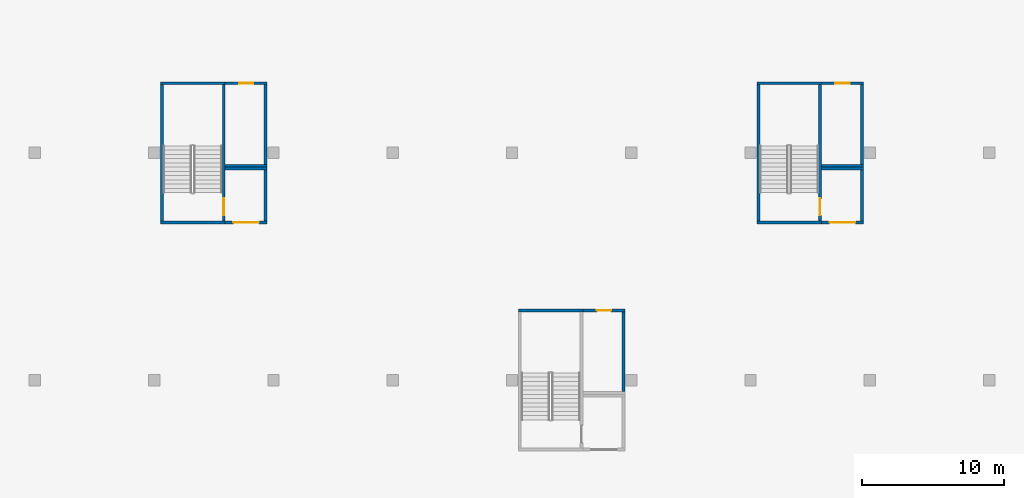
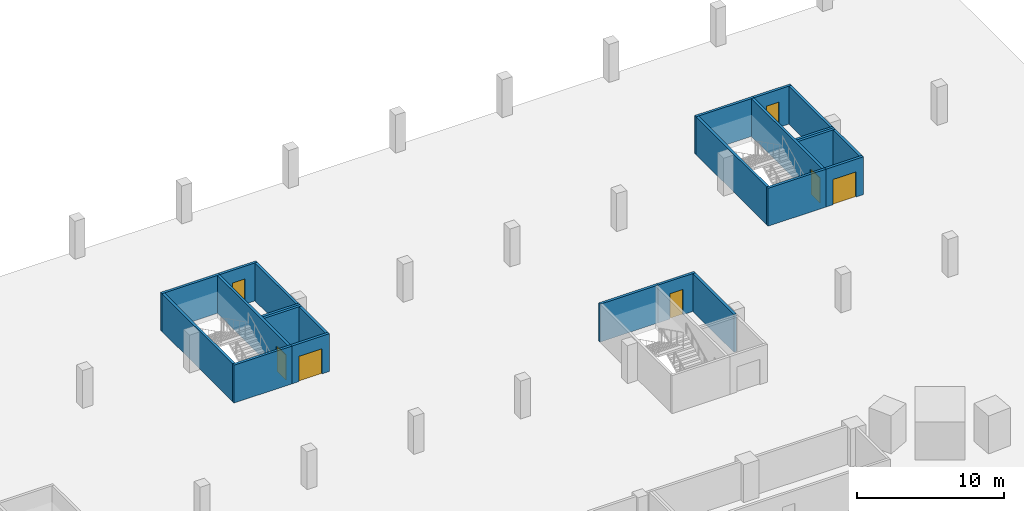
# One storey, part 16 of 37: 23 walls, 7 doors, 7 openings.
"""IFC4 building model written with IfcOpenShell, lengths in metres."""

import ifcopenshell
import ifcopenshell.guid

model = None  # the IFC model being written
_history = None  # IfcOwnerHistory: only IFC2X3 demands one
_inside = {}  # id of a spatial element -> (the spatial element, [elements in it])
_under = {}  # id of a project, library or spatial element -> (it, [spatial elements below it])
_declared = {}  # id of a project -> (the project, [libraries it declares])
_typed = {}  # id of a type object -> (the type object, [elements of that type])
_made_of = {}  # id of a material, layer set ... -> (it, [elements and type objects made of it])


def new_model(schema):
    """Start an empty IFC model of exactly this schema.

    Asked for "IFC4X3", IfcOpenShell would pick the latest addendum, in which some entities
    have other attributes; the version numbers below select the first issue.
    IFC2X3 requires an IfcOwnerHistory on every rooted entity: one is made here for all.
    """
    global model, _history
    if schema == "IFC4X3":
        model = ifcopenshell.file(schema_version=(4, 3, 0, 0))
    else:
        model = ifcopenshell.file(schema=schema)
    _inside.clear()
    _under.clear()
    _declared.clear()
    _typed.clear()
    _made_of.clear()
    _history = None
    if model.schema == "IFC2X3":
        org = make("IfcOrganization", Name="unknown")
        user = make(
            "IfcPersonAndOrganization",
            ThePerson=make("IfcPerson", FamilyName="unknown"),
            TheOrganization=org,
        )
        app = make(
            "IfcApplication",
            ApplicationDeveloper=org,
            Version="unknown",
            ApplicationFullName="unknown",
            ApplicationIdentifier="unknown",
        )
        _history = make(
            "IfcOwnerHistory",
            OwningUser=user,
            OwningApplication=app,
            ChangeAction="ADDED",
            CreationDate=0,
        )
    return model


def make(cls, **values):
    """One entity of the class cls with the attributes given. An attribute that is None is left unset."""
    return model.create_entity(
        cls, **{name: value for name, value in values.items() if value is not None}
    )


def rooted(cls, **values):
    """An entity with a GlobalId (a new one), such as an element, a storey or a relation."""
    return make(cls, GlobalId=ifcopenshell.guid.new(), OwnerHistory=_history, **values)


def si_unit(unit_type, name, prefix=None):
    """IfcSIUnit, for example si_unit("LENGTHUNIT", "METRE", prefix="MILLI")."""
    return make("IfcSIUnit", UnitType=unit_type, Prefix=prefix, Name=name)


def assignment(units):
    """IfcUnitAssignment: the units of a project."""
    return None if units is None else make("IfcUnitAssignment", Units=units)


def point(xyz):
    """IfcCartesianPoint."""
    return None if xyz is None else make("IfcCartesianPoint", Coordinates=xyz)


def direction(xyz):
    """IfcDirection."""
    return None if xyz is None else make("IfcDirection", DirectionRatios=xyz)


def frame(location, z_axis=None, x_axis=None):
    """IfcAxis2Placement3D, a coordinate frame: its origin and axes. An axis left out is left unset."""
    return make(
        "IfcAxis2Placement3D",
        Location=point(location),
        Axis=direction(z_axis),
        RefDirection=direction(x_axis),
    )


def frame_2d(location, x_axis=None):
    """IfcAxis2Placement2D, a coordinate frame in the plane: its origin and x axis."""
    return make(
        "IfcAxis2Placement2D", Location=point(location), RefDirection=direction(x_axis)
    )


def origin():
    """The frame at (0, 0, 0) with its axes left unset."""
    return frame((0.0, 0.0, 0.0))


def place(relative_to, where):
    """IfcLocalPlacement: puts the frame where relative to a parent placement (None: the world)."""
    return make(
        "IfcLocalPlacement", PlacementRelTo=relative_to, RelativePlacement=where
    )


def context(
    kind, dimensions, precision=None, world=None, true_north=None, identifier=None
):
    """IfcGeometricRepresentationContext, for example the 3D "Model" context."""
    return make(
        "IfcGeometricRepresentationContext",
        ContextIdentifier=identifier,
        ContextType=kind,
        CoordinateSpaceDimension=dimensions,
        Precision=precision,
        WorldCoordinateSystem=world,
        TrueNorth=true_north,
    )


def subcontext(parent, identifier, kind, view, scale=None):
    """IfcGeometricRepresentationSubContext, for example "Body" below "Model"."""
    return make(
        "IfcGeometricRepresentationSubContext",
        ContextIdentifier=identifier,
        ContextType=kind,
        ParentContext=parent,
        TargetScale=scale,
        TargetView=view,
    )


def project(units=None, contexts=None):
    """IfcProject with its units and contexts."""
    return rooted(
        "IfcProject",
        Name="project",
        RepresentationContexts=contexts,
        UnitsInContext=assignment(units),
    )


def spatial(cls, under=None, at=None, **own):
    """A site, building, storey or space (cls), placed at a placement, below another one or the project."""
    s = rooted(cls, ObjectPlacement=at, **own)
    if under is not None:
        _under.setdefault(under.id(), (under, []))[1].append(s)
    return s


def profile(cls, at=None, kind="AREA", **sizes):
    """A parametric profile (cls). Its sizes go by their IFC names, for example OverallWidth=200.0."""
    return make(cls, ProfileType=kind, Position=at, **sizes)


def rectangle(**sizes):
    """IfcRectangleProfileDef."""
    return profile("IfcRectangleProfileDef", **sizes)


def extrude(swept, where, along, depth):
    """IfcExtrudedAreaSolid: the profile swept, set in the frame where, extruded along a direction by depth."""
    return make(
        "IfcExtrudedAreaSolid",
        SweptArea=swept,
        Position=where,
        ExtrudedDirection=direction(along),
        Depth=depth,
    )


def shape(context_of_items, identifier, shape_type, items):
    """IfcShapeRepresentation: the items that make up one representation, for example the "Body"."""
    return make(
        "IfcShapeRepresentation",
        ContextOfItems=context_of_items,
        RepresentationIdentifier=identifier,
        RepresentationType=shape_type,
        Items=items,
    )


def material(Name=None, Category=None):
    """IfcMaterial."""
    return make("IfcMaterial", Name=Name, Category=Category)


def layer(
    of_material, thickness, ventilated=None, Name=None, Category=None, Priority=None
):
    """IfcMaterialLayer: one layer of a wall or slab, of a material (None: an air gap)."""
    return make(
        "IfcMaterialLayer",
        Material=of_material,
        LayerThickness=thickness,
        IsVentilated=ventilated,
        Name=Name,
        Category=Category,
        Priority=Priority,
    )


def layer_set(layers, Name=None):
    """IfcMaterialLayerSet."""
    return make("IfcMaterialLayerSet", MaterialLayers=layers, LayerSetName=Name)


def made_of(thing, what):
    """Note that an element or type object is made of a material, layer set ...; save() writes the relation."""
    if what is not None:
        _made_of.setdefault(what.id(), (what, []))[1].append(thing)
    return thing


def type_object(cls, material=None, **own):
    """A type object (cls), such as IfcWallType, which elements share."""
    return made_of(rooted(cls, **own), material)


def element(
    cls,
    number,
    at=None,
    inside=None,
    cuts=None,
    type_object=None,
    material=None,
    context=None,
    identifier="Body",
    shape_type=None,
    held_by="IfcProductDefinitionShape",
    body=None,
    shapes=None,
    **own,
):
    """One element of the class cls, such as IfcWall. Its Tag is "e" and its number.

    at: its placement. inside: the storey or other place that contains it. cuts: it is an
    opening in that element (IfcRelVoidsElement). A single representation is given by context,
    identifier, shape_type and body (its items); several are given by shapes. held_by: the class
    of the entity that holds the representations. save() writes the other relations.
    """
    e = rooted(cls, Tag="e%d" % number, ObjectPlacement=at, **own)
    if body is not None:
        shapes = [shape(context, identifier, shape_type, body)]
    if shapes is not None:
        e.Representation = make(held_by, Representations=shapes)
    if inside is not None:
        _inside.setdefault(inside.id(), (inside, []))[1].append(e)
    if cuts is not None:
        rooted(
            "IfcRelVoidsElement", RelatingBuildingElement=cuts, RelatedOpeningElement=e
        )
    if type_object is not None:
        _typed.setdefault(type_object.id(), (type_object, []))[1].append(e)
    return made_of(e, material)


def fill(opening, filler):
    """IfcRelFillsElement: the door or window that sits in an opening."""
    return rooted(
        "IfcRelFillsElement",
        RelatingOpeningElement=opening,
        RelatedBuildingElement=filler,
    )


def aggregate(whole, parts):
    """IfcRelAggregates: a whole, such as a stair, and the parts it consists of."""
    return rooted("IfcRelAggregates", RelatingObject=whole, RelatedObjects=parts)


def save(model, path):
    """Write the relations noted so far, then the file.

    IfcRelAggregates (storeys below a building ...), IfcRelContainedInSpatialStructure (elements
    in a storey), IfcRelDefinesByType, IfcRelAssociatesMaterial and IfcRelDeclares: one each for
    every whole, place, type object, material and project.
    """
    for whole, parts in _under.values():
        aggregate(whole, parts)
    for where, things in _inside.values():
        rooted(
            "IfcRelContainedInSpatialStructure",
            RelatedElements=things,
            RelatingStructure=where,
        )
    for kind, things in _typed.values():
        rooted("IfcRelDefinesByType", RelatedObjects=things, RelatingType=kind)
    for what, things in _made_of.values():
        rooted("IfcRelAssociatesMaterial", RelatedObjects=things, RelatingMaterial=what)
    for by, libraries in _declared.values():
        rooted("IfcRelDeclares", RelatingContext=by, RelatedDefinitions=libraries)
    model.write(path)


model = new_model("IFC4")

# Units and contexts
model_context = context("Model", 3, precision=1e-05, world=origin(), true_north=direction((0.0, 1.0)))
body_context = subcontext(model_context, "Body", "Model", "MODEL_VIEW")
ifc_project = project(units=[si_unit("LENGTHUNIT", "METRE"), si_unit("AREAUNIT", "SQUARE_METRE"), si_unit("VOLUMEUNIT", "CUBIC_METRE"), si_unit("PLANEANGLEUNIT", "RADIAN"), si_unit("MASSUNIT", "GRAM", prefix="KILO")], contexts=[model_context])

# Site, building, storey
site_placement = place(None, origin())
site = spatial("IfcSite", under=ifc_project, at=site_placement, CompositionType="ELEMENT")
building_placement = place(site_placement, origin())
building = spatial("IfcBuilding", under=site, at=building_placement, Name="Tamra Quay Hotel Tower", CompositionType="ELEMENT")
storey_placement = place(building_placement, frame((0.0, 0.0, -3.60009765625)))
storey = spatial("IfcBuildingStorey", under=building, at=storey_placement, Name="B1", CompositionType="ELEMENT", Elevation=-3.60009765625)

# Wall, opening, door
ifc_material_1 = material(Name="Blockwork", Category="masonry")
ifc_layer_1 = layer(ifc_material_1, 0.199951171875)
ifc_layer_set_1 = layer_set([ifc_layer_1], Name="Car park room wall 200")
wall_type_1 = type_object("IfcWallType", Name="Car park room wall 200", PredefinedType="PARTITIONING", material=ifc_layer_set_1)
wall_1_placement = place(storey_placement, frame((-16.89990234375, 59.10009765625, 0.0), z_axis=(0.0, 0.0, 1.0), x_axis=(1.0, 0.0, 0.0)))
wall_1 = element("IfcWall", 1, at=wall_1_placement, inside=storey, type_object=wall_type_1, Name="PW", PredefinedType="PARTITIONING", context=body_context, shape_type="SweptSolid", body=[
    extrude(rectangle(XDim=2.949951171875, YDim=0.199951171875, at=frame_2d((1.47509765625, 0.0))), origin(), (0.0, 0.0, 1.0), 3.150146484375),
])
opening_1_placement = place(wall_1_placement, frame((0.574951171875, 0.0, 0.0)))
opening_1 = element("IfcOpeningElement", 2, at=opening_1_placement, cuts=wall_1, Name="Opening PD2", PredefinedType="OPENING", context=body_context, shape_type="SweptSolid", body=[
    extrude(rectangle(XDim=1.800048828125, YDim=2.10009765625, at=frame_2d((0.89990234375, 1.050048828125))), frame((0.0, 0.10986328125, 0.0), z_axis=(0.0, -1.0, 0.0), x_axis=(1.0, 0.0, 0.0)), (0.0, 0.0, 1.0), 0.219970703125),
])
ifc_material_2 = material(Name="Plant door 1800 x 2100")
door_type_1 = type_object("IfcDoorType", Name="Plant door 1800 x 2100", OperationType="DOUBLE_DOOR_SINGLE_SWING", PredefinedType="DOOR", material=ifc_material_2)
door_1_placement = place(opening_1_placement, origin())
door_1 = element("IfcDoor", 3, at=door_1_placement, inside=storey, type_object=door_type_1, Name="PD2", OperationType="DOUBLE_DOOR_SINGLE_SWING", OverallHeight=2.10009765625, OverallWidth=1.800048828125, PredefinedType="DOOR", context=body_context, shape_type="SweptSolid", body=[
    extrude(rectangle(XDim=1.800048828125, YDim=2.10009765625, at=frame_2d((0.89990234375, 1.050048828125))), frame((0.0, 0.02490234375, 0.0), z_axis=(0.0, -1.0, 0.0), x_axis=(1.0, 0.0, 0.0)), (0.0, 0.0, 1.0), 0.050048828125),
])
fill(opening_1, door_1)

# Walls
wall_2_placement = place(storey_placement, frame((-16.89990234375, 62.89990234375, 0.0), z_axis=(0.0, 0.0, 1.0), x_axis=(1.0, 0.0, 0.0)))
element("IfcWall", 4, at=wall_2_placement, inside=storey, type_object=wall_type_1, Name="PW", PredefinedType="PARTITIONING", context=body_context, shape_type="SweptSolid", body=[
    extrude(rectangle(XDim=2.949951171875, YDim=0.199951171875, at=frame_2d((1.47509765625, 0.0))), origin(), (0.0, 0.0, 1.0), 3.150146484375),
])
wall_3_placement = place(storey_placement, frame((-14.050048828125, 59.199951171875, 0.0), z_axis=(0.0, 0.0, 1.0), x_axis=(0.0, 1.0, 0.0)))
element("IfcWall", 5, at=wall_3_placement, inside=storey, type_object=wall_type_1, Name="PW", PredefinedType="PARTITIONING", context=body_context, shape_type="SweptSolid", body=[
    extrude(rectangle(XDim=3.60009765625, YDim=0.199951171875, at=frame_2d((1.800048828125, 0.0))), origin(), (0.0, 0.0, 1.0), 3.150146484375),
])
wall_4_placement = place(storey_placement, frame((-16.89990234375, 63.10009765625, 0.0), z_axis=(0.0, 0.0, 1.0), x_axis=(1.0, 0.0, 0.0)))
element("IfcWall", 6, at=wall_4_placement, inside=storey, type_object=wall_type_1, Name="PW", PredefinedType="PARTITIONING", context=body_context, shape_type="SweptSolid", body=[
    extrude(rectangle(XDim=2.949951171875, YDim=0.199951171875, at=frame_2d((1.47509765625, 0.0))), origin(), (0.0, 0.0, 1.0), 3.150146484375),
])

# Wall, opening, door
wall_5_placement = place(storey_placement, frame((-16.89990234375, 68.89990234375, 0.0), z_axis=(0.0, 0.0, 1.0), x_axis=(1.0, 0.0, 0.0)))
wall_5 = element("IfcWall", 7, at=wall_5_placement, inside=storey, type_object=wall_type_1, Name="PW", PredefinedType="PARTITIONING", context=body_context, shape_type="SweptSolid", body=[
    extrude(rectangle(XDim=2.949951171875, YDim=0.199951171875, at=frame_2d((1.47509765625, 0.0))), origin(), (0.0, 0.0, 1.0), 3.150146484375),
])
opening_2_placement = place(wall_5_placement, frame((0.97509765625, 0.0, 0.0)))
opening_2 = element("IfcOpeningElement", 8, at=opening_2_placement, cuts=wall_5, Name="Opening PD1", PredefinedType="OPENING", context=body_context, shape_type="SweptSolid", body=[
    extrude(rectangle(XDim=1.0, YDim=2.10009765625, at=frame_2d((0.5, 1.050048828125))), frame((0.0, 0.10986328125, 0.0), z_axis=(0.0, -1.0, 0.0), x_axis=(1.0, 0.0, 0.0)), (0.0, 0.0, 1.0), 0.219970703125),
])
ifc_material_3 = material(Name="Car park door 1000 x 2100")
door_type_2 = type_object("IfcDoorType", Name="Car park door 1000 x 2100", OperationType="NOTDEFINED", PredefinedType="DOOR", material=ifc_material_3)
door_2_placement = place(opening_2_placement, origin())
door_2 = element("IfcDoor", 9, at=door_2_placement, inside=storey, type_object=door_type_2, Name="PD1", OperationType="SINGLE_SWING_LEFT", OverallHeight=2.10009765625, OverallWidth=1.0, PredefinedType="DOOR", context=body_context, shape_type="SweptSolid", body=[
    extrude(rectangle(XDim=1.0, YDim=2.10009765625, at=frame_2d((0.5, 1.050048828125))), frame((0.0, 0.02490234375, 0.0), z_axis=(0.0, -1.0, 0.0), x_axis=(1.0, 0.0, 0.0)), (0.0, 0.0, 1.0), 0.050048828125),
])
fill(opening_2, door_2)

# Wall
wall_6_placement = place(storey_placement, frame((-14.050048828125, 63.199951171875, 0.0), z_axis=(0.0, 0.0, 1.0), x_axis=(0.0, 1.0, 0.0)))
element("IfcWall", 10, at=wall_6_placement, inside=storey, type_object=wall_type_1, Name="PW", PredefinedType="PARTITIONING", context=body_context, shape_type="SweptSolid", body=[
    extrude(rectangle(XDim=5.60009765625, YDim=0.199951171875, at=frame_2d((2.800048828125, 0.0))), origin(), (0.0, 0.0, 1.0), 3.150146484375),
])

# Wall, opening, door
wall_7_placement = place(storey_placement, frame((8.300048828125, 52.89990234375, 0.0), z_axis=(0.0, 0.0, 1.0), x_axis=(1.0, 0.0, 0.0)))
wall_7 = element("IfcWall", 11, at=wall_7_placement, inside=storey, type_object=wall_type_1, Name="PW", PredefinedType="PARTITIONING", context=body_context, shape_type="SweptSolid", body=[
    extrude(rectangle(XDim=2.949951171875, YDim=0.199951171875, at=frame_2d((1.47509765625, 0.0))), origin(), (0.0, 0.0, 1.0), 3.150146484375),
])
opening_3_placement = place(wall_7_placement, frame((0.97509765625, 0.0, 0.0)))
opening_3 = element("IfcOpeningElement", 12, at=opening_3_placement, cuts=wall_7, Name="Opening PD1", PredefinedType="OPENING", context=body_context, shape_type="SweptSolid", body=[
    extrude(rectangle(XDim=1.0, YDim=2.10009765625, at=frame_2d((0.5, 1.050048828125))), frame((0.0, 0.10986328125, 0.0), z_axis=(0.0, -1.0, 0.0), x_axis=(1.0, 0.0, 0.0)), (0.0, 0.0, 1.0), 0.219970703125),
])
door_3_placement = place(opening_3_placement, origin())
door_3 = element("IfcDoor", 13, at=door_3_placement, inside=storey, type_object=door_type_2, Name="PD1", OperationType="SINGLE_SWING_LEFT", OverallHeight=2.10009765625, OverallWidth=1.0, PredefinedType="DOOR", context=body_context, shape_type="SweptSolid", body=[
    extrude(rectangle(XDim=1.0, YDim=2.10009765625, at=frame_2d((0.5, 1.050048828125))), frame((0.0, 0.02490234375, 0.0), z_axis=(0.0, -1.0, 0.0), x_axis=(1.0, 0.0, 0.0)), (0.0, 0.0, 1.0), 0.050048828125),
])
fill(opening_3, door_3)

# Wall
wall_8_placement = place(storey_placement, frame((11.14990234375, 47.199951171875, 0.0), z_axis=(0.0, 0.0, 1.0), x_axis=(0.0, 1.0, 0.0)))
element("IfcWall", 14, at=wall_8_placement, inside=storey, type_object=wall_type_1, Name="PW", PredefinedType="PARTITIONING", context=body_context, shape_type="SweptSolid", body=[
    extrude(rectangle(XDim=5.60009765625, YDim=0.199951171875, at=frame_2d((2.800048828125, 0.0))), origin(), (0.0, 0.0, 1.0), 3.150146484375),
])

# Wall, opening, door
wall_9_placement = place(storey_placement, frame((25.10009765625, 59.10009765625, 0.0), z_axis=(0.0, 0.0, 1.0), x_axis=(1.0, 0.0, 0.0)))
wall_9 = element("IfcWall", 15, at=wall_9_placement, inside=storey, type_object=wall_type_1, Name="PW", PredefinedType="PARTITIONING", context=body_context, shape_type="SweptSolid", body=[
    extrude(rectangle(XDim=2.949951171875, YDim=0.199951171875, at=frame_2d((1.47509765625, 0.0))), origin(), (0.0, 0.0, 1.0), 3.150146484375),
])
opening_4_placement = place(wall_9_placement, frame((0.574951171875, 0.0, 0.0)))
opening_4 = element("IfcOpeningElement", 16, at=opening_4_placement, cuts=wall_9, Name="Opening PD2", PredefinedType="OPENING", context=body_context, shape_type="SweptSolid", body=[
    extrude(rectangle(XDim=1.800048828125, YDim=2.10009765625, at=frame_2d((0.89990234375, 1.050048828125))), frame((0.0, 0.10986328125, 0.0), z_axis=(0.0, -1.0, 0.0), x_axis=(1.0, 0.0, 0.0)), (0.0, 0.0, 1.0), 0.219970703125),
])
door_4_placement = place(opening_4_placement, origin())
door_4 = element("IfcDoor", 17, at=door_4_placement, inside=storey, type_object=door_type_1, Name="PD2", OperationType="DOUBLE_DOOR_SINGLE_SWING", OverallHeight=2.10009765625, OverallWidth=1.800048828125, PredefinedType="DOOR", context=body_context, shape_type="SweptSolid", body=[
    extrude(rectangle(XDim=1.800048828125, YDim=2.10009765625, at=frame_2d((0.89990234375, 1.050048828125))), frame((0.0, 0.02490234375, 0.0), z_axis=(0.0, -1.0, 0.0), x_axis=(1.0, 0.0, 0.0)), (0.0, 0.0, 1.0), 0.050048828125),
])
fill(opening_4, door_4)

# Walls
wall_10_placement = place(storey_placement, frame((25.10009765625, 62.89990234375, 0.0), z_axis=(0.0, 0.0, 1.0), x_axis=(1.0, 0.0, 0.0)))
element("IfcWall", 18, at=wall_10_placement, inside=storey, type_object=wall_type_1, Name="PW", PredefinedType="PARTITIONING", context=body_context, shape_type="SweptSolid", body=[
    extrude(rectangle(XDim=2.949951171875, YDim=0.199951171875, at=frame_2d((1.47509765625, 0.0))), origin(), (0.0, 0.0, 1.0), 3.150146484375),
])
wall_11_placement = place(storey_placement, frame((27.949951171875, 59.199951171875, 0.0), z_axis=(0.0, 0.0, 1.0), x_axis=(0.0, 1.0, 0.0)))
element("IfcWall", 19, at=wall_11_placement, inside=storey, type_object=wall_type_1, Name="PW", PredefinedType="PARTITIONING", context=body_context, shape_type="SweptSolid", body=[
    extrude(rectangle(XDim=3.60009765625, YDim=0.199951171875, at=frame_2d((1.800048828125, 0.0))), origin(), (0.0, 0.0, 1.0), 3.150146484375),
])
wall_12_placement = place(storey_placement, frame((25.10009765625, 63.10009765625, 0.0), z_axis=(0.0, 0.0, 1.0), x_axis=(1.0, 0.0, 0.0)))
element("IfcWall", 20, at=wall_12_placement, inside=storey, type_object=wall_type_1, Name="PW", PredefinedType="PARTITIONING", context=body_context, shape_type="SweptSolid", body=[
    extrude(rectangle(XDim=2.949951171875, YDim=0.199951171875, at=frame_2d((1.47509765625, 0.0))), origin(), (0.0, 0.0, 1.0), 3.150146484375),
])

# Wall, opening, door
wall_13_placement = place(storey_placement, frame((25.10009765625, 68.89990234375, 0.0), z_axis=(0.0, 0.0, 1.0), x_axis=(1.0, 0.0, 0.0)))
wall_13 = element("IfcWall", 21, at=wall_13_placement, inside=storey, type_object=wall_type_1, Name="PW", PredefinedType="PARTITIONING", context=body_context, shape_type="SweptSolid", body=[
    extrude(rectangle(XDim=2.949951171875, YDim=0.199951171875, at=frame_2d((1.47509765625, 0.0))), origin(), (0.0, 0.0, 1.0), 3.150146484375),
])
opening_5_placement = place(wall_13_placement, frame((0.97509765625, 0.0, 0.0)))
opening_5 = element("IfcOpeningElement", 22, at=opening_5_placement, cuts=wall_13, Name="Opening PD1", PredefinedType="OPENING", context=body_context, shape_type="SweptSolid", body=[
    extrude(rectangle(XDim=1.0, YDim=2.10009765625, at=frame_2d((0.5, 1.050048828125))), frame((0.0, 0.10986328125, 0.0), z_axis=(0.0, -1.0, 0.0), x_axis=(1.0, 0.0, 0.0)), (0.0, 0.0, 1.0), 0.219970703125),
])
door_5_placement = place(opening_5_placement, origin())
door_5 = element("IfcDoor", 23, at=door_5_placement, inside=storey, type_object=door_type_2, Name="PD1", OperationType="SINGLE_SWING_LEFT", OverallHeight=2.10009765625, OverallWidth=1.0, PredefinedType="DOOR", context=body_context, shape_type="SweptSolid", body=[
    extrude(rectangle(XDim=1.0, YDim=2.10009765625, at=frame_2d((0.5, 1.050048828125))), frame((0.0, 0.02490234375, 0.0), z_axis=(0.0, -1.0, 0.0), x_axis=(1.0, 0.0, 0.0)), (0.0, 0.0, 1.0), 0.050048828125),
])
fill(opening_5, door_5)

# Walls
wall_14_placement = place(storey_placement, frame((27.949951171875, 63.199951171875, 0.0), z_axis=(0.0, 0.0, 1.0), x_axis=(0.0, 1.0, 0.0)))
element("IfcWall", 24, at=wall_14_placement, inside=storey, type_object=wall_type_1, Name="PW", PredefinedType="PARTITIONING", context=body_context, shape_type="SweptSolid", body=[
    extrude(rectangle(XDim=5.60009765625, YDim=0.199951171875, at=frame_2d((2.800048828125, 0.0))), origin(), (0.0, 0.0, 1.0), 3.150146484375),
])
ifc_material_4 = material(Name="Concrete M70", Category="concrete")
ifc_layer_2 = layer(ifc_material_4, 0.199951171875)
ifc_layer_set_2 = layer_set([ifc_layer_2], Name="Concrete M70 stair enclosure wall 200")
wall_type_2 = type_object("IfcWallType", Name="Concrete M70 stair enclosure wall 200", PredefinedType="SOLIDWALL", material=ifc_layer_set_2)
wall_15_placement = place(storey_placement, frame((-21.35009765625, 59.199951171875, 0.0), z_axis=(0.0, 0.0, 1.0), x_axis=(0.0, 1.0, 0.0)))
element("IfcWall", 25, at=wall_15_placement, inside=storey, type_object=wall_type_2, Name="SEW", PredefinedType="SOLIDWALL", context=body_context, shape_type="SweptSolid", body=[
    extrude(rectangle(XDim=9.60009765625, YDim=0.199951171875, at=frame_2d((4.800048828125, 0.0))), origin(), (0.0, 0.0, 1.0), 3.150146484375),
])

# Wall, opening, door
wall_16_placement = place(storey_placement, frame((-17.0, 59.199951171875, 0.0), z_axis=(0.0, 0.0, 1.0), x_axis=(0.0, 1.0, 0.0)))
wall_16 = element("IfcWall", 26, at=wall_16_placement, inside=storey, type_object=wall_type_2, Name="SEW", PredefinedType="SOLIDWALL", context=body_context, shape_type="SweptSolid", body=[
    extrude(rectangle(XDim=9.60009765625, YDim=0.199951171875, at=frame_2d((4.800048828125, 0.0))), origin(), (0.0, 0.0, 1.0), 3.150146484375),
])
opening_6_placement = place(wall_16_placement, frame((0.39990234375, 0.0, 0.0)))
opening_6 = element("IfcOpeningElement", 27, at=opening_6_placement, cuts=wall_16, Name="Opening SD1", PredefinedType="OPENING", context=body_context, shape_type="SweptSolid", body=[
    extrude(rectangle(XDim=1.199951171875, YDim=2.10009765625, at=frame_2d((0.60009765625, 1.050048828125))), frame((0.0, 0.10986328125, 0.0), z_axis=(0.0, -1.0, 0.0), x_axis=(1.0, 0.0, 0.0)), (0.0, 0.0, 1.0), 0.219970703125),
])
ifc_material_5 = material(Name="Stair door 1200 x 2100")
door_type_3 = type_object("IfcDoorType", Name="Stair door 1200 x 2100", OperationType="NOTDEFINED", PredefinedType="DOOR", material=ifc_material_5)
door_6_placement = place(opening_6_placement, origin())
door_6 = element("IfcDoor", 28, at=door_6_placement, inside=storey, type_object=door_type_3, Name="SD1", OperationType="SINGLE_SWING_LEFT", OverallHeight=2.10009765625, OverallWidth=1.199951171875, PredefinedType="DOOR", context=body_context, shape_type="SweptSolid", body=[
    extrude(rectangle(XDim=1.199951171875, YDim=2.10009765625, at=frame_2d((0.60009765625, 1.050048828125))), frame((0.0, 0.02490234375, 0.0), z_axis=(0.0, -1.0, 0.0), x_axis=(1.0, 0.0, 0.0)), (0.0, 0.0, 1.0), 0.050048828125),
])
fill(opening_6, door_6)

# Walls
for number, where, z_axis, x_axis, name in (
    (29, (-16.89990234375, 59.10009765625, 0.0), (0.0, 0.0, 1.0), (-1.0, 0.0, 0.0), "SEW"),
    (30, (-21.449951171875, 68.89990234375, 0.0), (0.0, 0.0, 1.0), (1.0, 0.0, 0.0), "SEW"),
    (31, (3.75, 52.89990234375, 0.0), (0.0, 0.0, 1.0), (1.0, 0.0, 0.0), "SEW"),
):
    element("IfcWall", number, at=place(storey_placement, frame(where, z_axis=z_axis, x_axis=x_axis)), inside=storey, type_object=wall_type_2, Name=name, PredefinedType="SOLIDWALL", context=body_context, shape_type="SweptSolid", body=[
        extrude(rectangle(XDim=4.550048828125, YDim=0.199951171875, at=frame_2d((2.27490234375, 0.0))), origin(), (0.0, 0.0, 1.0), 3.150146484375),
    ])
wall_17_placement = place(storey_placement, frame((20.64990234375, 59.199951171875, 0.0), z_axis=(0.0, 0.0, 1.0), x_axis=(0.0, 1.0, 0.0)))
element("IfcWall", 32, at=wall_17_placement, inside=storey, type_object=wall_type_2, Name="SEW", PredefinedType="SOLIDWALL", context=body_context, shape_type="SweptSolid", body=[
    extrude(rectangle(XDim=9.60009765625, YDim=0.199951171875, at=frame_2d((4.800048828125, 0.0))), origin(), (0.0, 0.0, 1.0), 3.150146484375),
])

# Wall, opening, door
wall_18_placement = place(storey_placement, frame((25.0, 59.199951171875, 0.0), z_axis=(0.0, 0.0, 1.0), x_axis=(0.0, 1.0, 0.0)))
wall_18 = element("IfcWall", 33, at=wall_18_placement, inside=storey, type_object=wall_type_2, Name="SEW", PredefinedType="SOLIDWALL", context=body_context, shape_type="SweptSolid", body=[
    extrude(rectangle(XDim=9.60009765625, YDim=0.199951171875, at=frame_2d((4.800048828125, 0.0))), origin(), (0.0, 0.0, 1.0), 3.150146484375),
])
opening_7_placement = place(wall_18_placement, frame((0.39990234375, 0.0, 0.0)))
opening_7 = element("IfcOpeningElement", 34, at=opening_7_placement, cuts=wall_18, Name="Opening SD1", PredefinedType="OPENING", context=body_context, shape_type="SweptSolid", body=[
    extrude(rectangle(XDim=1.199951171875, YDim=2.10009765625, at=frame_2d((0.60009765625, 1.050048828125))), frame((0.0, 0.10986328125, 0.0), z_axis=(0.0, -1.0, 0.0), x_axis=(1.0, 0.0, 0.0)), (0.0, 0.0, 1.0), 0.219970703125),
])
door_7_placement = place(opening_7_placement, origin())
door_7 = element("IfcDoor", 35, at=door_7_placement, inside=storey, type_object=door_type_3, Name="SD1", OperationType="SINGLE_SWING_LEFT", OverallHeight=2.10009765625, OverallWidth=1.199951171875, PredefinedType="DOOR", context=body_context, shape_type="SweptSolid", body=[
    extrude(rectangle(XDim=1.199951171875, YDim=2.10009765625, at=frame_2d((0.60009765625, 1.050048828125))), frame((0.0, 0.02490234375, 0.0), z_axis=(0.0, -1.0, 0.0), x_axis=(1.0, 0.0, 0.0)), (0.0, 0.0, 1.0), 0.050048828125),
])
fill(opening_7, door_7)

# Walls
for number, where, z_axis, x_axis, name in (
    (36, (25.10009765625, 59.10009765625, 0.0), (0.0, 0.0, 1.0), (-1.0, 0.0, 0.0), "SEW"),
    (37, (20.550048828125, 68.89990234375, 0.0), (0.0, 0.0, 1.0), (1.0, 0.0, 0.0), "SEW"),
):
    element("IfcWall", number, at=place(storey_placement, frame(where, z_axis=z_axis, x_axis=x_axis)), inside=storey, type_object=wall_type_2, Name=name, PredefinedType="SOLIDWALL", context=body_context, shape_type="SweptSolid", body=[
        extrude(rectangle(XDim=4.550048828125, YDim=0.199951171875, at=frame_2d((2.27490234375, 0.0))), origin(), (0.0, 0.0, 1.0), 3.150146484375),
    ])

save(model, "model.ifc")
